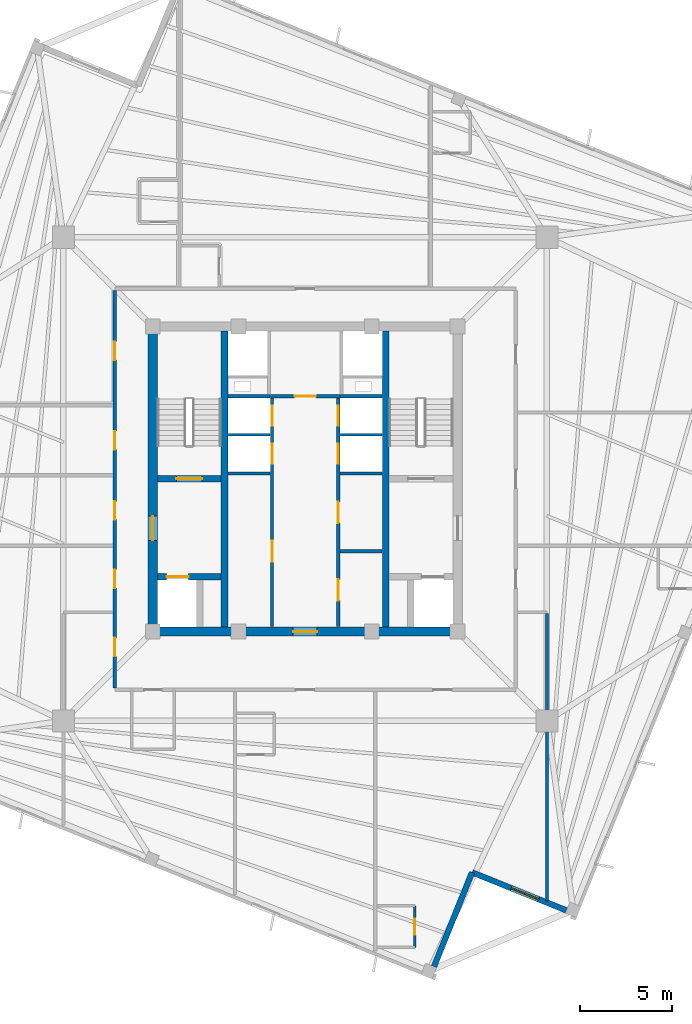
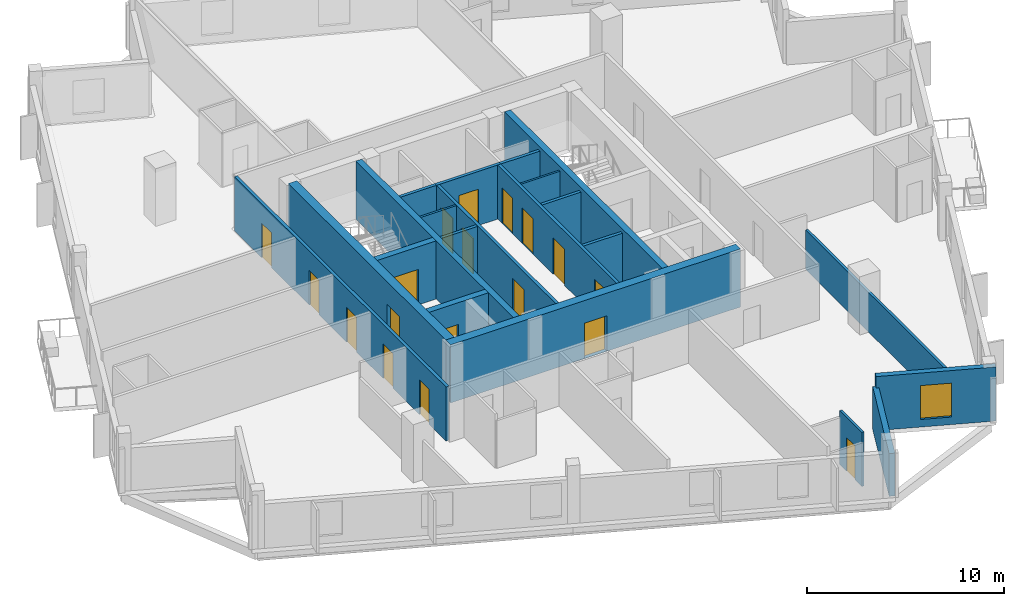
# One storey, part 3 of 8: 21 walls, 18 doors, 1 window, 19 openings.
"""IFC4 building model written with IfcOpenShell, lengths in metres."""

from ifc_helpers import new_model, si_unit, direction, frame, frame_2d, origin, place, context, subcontext, project, spatial, rectangle, extrude, source, transform, mapped, material, layer, layer_set, type_object, element, fill, save


model = new_model("IFC4")

# Units and contexts
model_context = context("Model", 3, precision=1e-05, world=origin(), true_north=direction((0.0, 1.0)))
body_context = subcontext(model_context, "Body", "Model", "MODEL_VIEW")
ifc_project = project(units=[si_unit("LENGTHUNIT", "METRE"), si_unit("AREAUNIT", "SQUARE_METRE"), si_unit("VOLUMEUNIT", "CUBIC_METRE"), si_unit("PLANEANGLEUNIT", "RADIAN"), si_unit("MASSUNIT", "GRAM", prefix="KILO"), si_unit("THERMODYNAMICTEMPERATUREUNIT", "KELVIN")], contexts=[model_context])

# Site, building, storey
site_placement = place(None, origin())
site = spatial("IfcSite", under=ifc_project, at=site_placement, CompositionType="ELEMENT")
building_placement = place(site_placement, origin())
building = spatial("IfcBuilding", under=site, at=building_placement, Name="Kosmvard Interchange Tower", CompositionType="ELEMENT")
storey_placement = place(building_placement, frame((0.0, 0.0, 268.800048828125)))
storey = spatial("IfcBuildingStorey", under=building, at=storey_placement, Name="L65", CompositionType="ELEMENT", Elevation=268.800048828125)

# Wall
ifc_material_1 = material(Name="Acoustic gypsum partition system")
ifc_layer_1 = layer(ifc_material_1, 0.14990234375, Name="Acoustic gypsum partition system")
ifc_layer_set_1 = layer_set([ifc_layer_1], Name="Acoustic gypsum partition system")
wall_type_1 = type_object("IfcWallType", Name="Acoustic Suite & Meeting Partition 150", PredefinedType="PARTITIONING", material=ifc_layer_set_1)
wall_1_placement = place(storey_placement, frame((13.0810546875, -7.27490234375, 0.0), z_axis=(0.0, 0.0, 1.0), x_axis=(0.0, -1.0, 0.0)))
element("IfcWall", 1, at=wall_1_placement, inside=storey, type_object=wall_type_1, Name="L65 Room Partition 11.1", PredefinedType="PARTITIONING", context=body_context, shape_type="SweptSolid", body=[
    extrude(rectangle(XDim=15.541748046875, YDim=0.14990234375, at=frame_2d((7.77099609375, 0.0))), origin(), (0.0, 0.0, 1.0), 2.449951171875),
])

# Wall, openings, doors
ifc_material_2 = material(Name="Fire-rated gypsum partition system")
ifc_layer_2 = layer(ifc_material_2, 0.179931640625, Name="Fire-rated gypsum partition system")
ifc_layer_set_2 = layer_set([ifc_layer_2], Name="Fire-rated gypsum partition system")
wall_type_2 = type_object("IfcWallType", Name="Corridor & Hotel Compartment Partition 180", PredefinedType="PARTITIONING", material=ifc_layer_set_2)
wall_2_placement = place(storey_placement, frame((-1.7900390625, -7.97998046875, 0.0), z_axis=(0.0, 0.0, 1.0), x_axis=(0.0, 1.0, 0.0)))
wall_2 = element("IfcWall", 2, at=wall_2_placement, inside=storey, type_object=wall_type_2, Name="L65 West Lift Bank Front Wall", PredefinedType="PARTITIONING", context=body_context, shape_type="SweptSolid", body=[
    extrude(rectangle(XDim=12.3798828125, YDim=0.179931640625, at=frame_2d((6.18994140625, 0.0))), origin(), (0.0, 0.0, 1.0), 3.349853515625),
])
opening_1_placement = place(wall_2_placement, frame((8.800048828125, 0.0, 0.0)))
opening_1 = element("IfcOpeningElement", 3, at=opening_1_placement, cuts=wall_2, Name="Opening LD-PL-H1-L65", PredefinedType="OPENING", context=body_context, shape_type="SweptSolid", body=[
    extrude(rectangle(XDim=1.10009765625, YDim=2.199951171875, at=frame_2d((0.550048828125, 1.10009765625))), frame((0.0, 0.10009765625, 0.0), z_axis=(0.0, -1.0, 0.0), x_axis=(1.0, 0.0, 0.0)), (0.0, 0.0, 1.0), 0.199951171875),
])
opening_2_placement = place(wall_2_placement, frame((10.860107421875, 0.0, 0.0)))
opening_2 = element("IfcOpeningElement", 4, at=opening_2_placement, cuts=wall_2, Name="Opening LD-PL-H2-L65", PredefinedType="OPENING", context=body_context, shape_type="SweptSolid", body=[
    extrude(rectangle(XDim=1.10009765625, YDim=2.199951171875, at=frame_2d((0.550048828125, 1.10009765625))), frame((0.0, 0.10009765625, 0.0), z_axis=(0.0, -1.0, 0.0), x_axis=(1.0, 0.0, 0.0)), (0.0, 0.0, 1.0), 0.199951171875),
])
opening_3_placement = place(wall_2_placement, frame((3.5, 0.0, 0.0)))
opening_3 = element("IfcOpeningElement", 5, at=opening_3_placement, cuts=wall_2, Name="Opening L65-CD1", PredefinedType="OPENING", context=body_context, shape_type="SweptSolid", body=[
    extrude(rectangle(XDim=1.14990234375, YDim=2.25, at=frame_2d((0.574951171875, 1.125))), frame((0.0, 0.10009765625, 0.0), z_axis=(0.0, -1.0, 0.0), x_axis=(1.0, 0.0, 0.0)), (0.0, 0.0, 1.0), 0.199951171875),
])
ifc_material_3 = material(Name="Painted fire-rated steel leaf", Category="steel")
door_type_1 = type_object("IfcDoorType", Name="Plant & Riser Fire Door 1150x2250 EI60", OperationType="NOTDEFINED", PredefinedType="DOOR", material=ifc_material_3)
shared_shape_1 = source(origin(), body_context, "Body", "SweptSolid", [
    extrude(rectangle(XDim=1.14990234375, YDim=2.25, at=frame_2d((0.574951171875, 1.125))), frame((0.0, 0.02490234375, 0.0), z_axis=(0.0, -1.0, 0.0), x_axis=(1.0, 0.0, 0.0)), (0.0, 0.0, 1.0), 0.050048828125),
])
door_1_placement = place(opening_3_placement, origin())
door_1 = element("IfcDoor", 6, at=door_1_placement, inside=storey, type_object=door_type_1, Name="L65 Core West Store Door", OperationType="SINGLE_SWING_LEFT", OverallHeight=2.25, OverallWidth=1.14990234375, PredefinedType="DOOR", context=body_context, shape_type="MappedRepresentation", body=[
    mapped(shared_shape_1, transform((0.0, 0.0, 0.0), scale=1.0)),
])
fill(opening_3, door_1)
ifc_material_4 = material(Name="Brushed stainless steel sliding leaf", Category="steel")
door_type_2 = type_object("IfcDoorType", Name="Passenger Lift Sliding Landing Door 1100x2200 EI60", OperationType="DOUBLE_DOOR_SLIDING", PredefinedType="DOOR", material=ifc_material_4)
shared_shape_2 = source(origin(), body_context, "Body", "SweptSolid", [
    extrude(rectangle(XDim=1.10009765625, YDim=2.199951171875, at=frame_2d((0.550048828125, 1.10009765625))), frame((0.0, 0.02490234375, 0.0), z_axis=(0.0, -1.0, 0.0), x_axis=(1.0, 0.0, 0.0)), (0.0, 0.0, 1.0), 0.050048828125),
])
door_2_placement = place(opening_1_placement, frame((1.10009765625, 0.0, 0.0), z_axis=(0.0, 0.0, 1.0), x_axis=(-1.0, 0.0, 0.0)))
door_2 = element("IfcDoor", 7, at=door_2_placement, inside=storey, type_object=door_type_2, Name="Lift PL-H1 Landing Door L65", OperationType="DOUBLE_DOOR_SLIDING", OverallHeight=2.199951171875, OverallWidth=1.10009765625, PredefinedType="DOOR", context=body_context, shape_type="MappedRepresentation", body=[
    mapped(shared_shape_2, transform((0.0, 0.0, 0.0), scale=1.0)),
])
fill(opening_1, door_2)
door_3_placement = place(opening_2_placement, frame((1.10009765625, 0.0, 0.0), z_axis=(0.0, 0.0, 1.0), x_axis=(-1.0, 0.0, 0.0)))
door_3 = element("IfcDoor", 8, at=door_3_placement, inside=storey, type_object=door_type_2, Name="Lift PL-H2 Landing Door L65", OperationType="DOUBLE_DOOR_SLIDING", OverallHeight=2.199951171875, OverallWidth=1.10009765625, PredefinedType="DOOR", context=body_context, shape_type="MappedRepresentation", body=[
    mapped(shared_shape_2, transform((0.0, 0.0, 0.0), scale=1.0)),
])
fill(opening_2, door_3)

wall_3_placement = place(storey_placement, frame((1.7900390625, -7.97998046875, 0.0), z_axis=(0.0, 0.0, 1.0), x_axis=(0.0, 1.0, 0.0)))
wall_3 = element("IfcWall", 9, at=wall_3_placement, inside=storey, type_object=wall_type_2, Name="L65 East Lift Bank Front Wall", PredefinedType="PARTITIONING", context=body_context, shape_type="SweptSolid", body=[
    extrude(rectangle(XDim=12.3798828125, YDim=0.179931640625, at=frame_2d((6.18994140625, 0.0))), origin(), (0.0, 0.0, 1.0), 3.349853515625),
])
opening_4_placement = place(wall_3_placement, frame((8.800048828125, 0.0, 0.0)))
opening_4 = element("IfcOpeningElement", 10, at=opening_4_placement, cuts=wall_3, Name="Opening LD-PL-H3-L65", PredefinedType="OPENING", context=body_context, shape_type="SweptSolid", body=[
    extrude(rectangle(XDim=1.10009765625, YDim=2.199951171875, at=frame_2d((0.550048828125, 1.10009765625))), frame((0.0, 0.10009765625, 0.0), z_axis=(0.0, -1.0, 0.0), x_axis=(1.0, 0.0, 0.0)), (0.0, 0.0, 1.0), 0.199951171875),
])
opening_5_placement = place(wall_3_placement, frame((10.860107421875, 0.0, 0.0)))
opening_5 = element("IfcOpeningElement", 11, at=opening_5_placement, cuts=wall_3, Name="Opening LD-PL-H4-L65", PredefinedType="OPENING", context=body_context, shape_type="SweptSolid", body=[
    extrude(rectangle(XDim=1.10009765625, YDim=2.199951171875, at=frame_2d((0.550048828125, 1.10009765625))), frame((0.0, 0.10009765625, 0.0), z_axis=(0.0, -1.0, 0.0), x_axis=(1.0, 0.0, 0.0)), (0.0, 0.0, 1.0), 0.199951171875),
])
opening_6_placement = place(wall_3_placement, frame((1.39990234375, 0.0, 0.0)))
opening_6 = element("IfcOpeningElement", 12, at=opening_6_placement, cuts=wall_3, Name="Opening L65-CD2", PredefinedType="OPENING", context=body_context, shape_type="SweptSolid", body=[
    extrude(rectangle(XDim=1.14990234375, YDim=2.25, at=frame_2d((0.574951171875, 1.125))), frame((0.0, 0.10009765625, 0.0), z_axis=(0.0, -1.0, 0.0), x_axis=(1.0, 0.0, 0.0)), (0.0, 0.0, 1.0), 0.199951171875),
])
opening_7_placement = place(wall_3_placement, frame((5.60009765625, 0.0, 0.0)))
opening_7 = element("IfcOpeningElement", 13, at=opening_7_placement, cuts=wall_3, Name="Opening L65-CD3", PredefinedType="OPENING", context=body_context, shape_type="SweptSolid", body=[
    extrude(rectangle(XDim=1.14990234375, YDim=2.25, at=frame_2d((0.574951171875, 1.125))), frame((0.0, 0.10009765625, 0.0), z_axis=(0.0, -1.0, 0.0), x_axis=(1.0, 0.0, 0.0)), (0.0, 0.0, 1.0), 0.199951171875),
])
door_4_placement = place(opening_6_placement, frame((1.14990234375, 0.0, 0.0), z_axis=(0.0, 0.0, 1.0), x_axis=(-1.0, 0.0, 0.0)))
door_4 = element("IfcDoor", 14, at=door_4_placement, inside=storey, type_object=door_type_1, Name="L65 Core Tea Pantry Door", OperationType="SINGLE_SWING_LEFT", OverallHeight=2.25, OverallWidth=1.14990234375, PredefinedType="DOOR", context=body_context, shape_type="MappedRepresentation", body=[
    mapped(shared_shape_1, transform((0.0, 0.0, 0.0), scale=1.0)),
])
fill(opening_6, door_4)
door_5_placement = place(opening_7_placement, frame((1.14990234375, 0.0, 0.0), z_axis=(0.0, 0.0, 1.0), x_axis=(-1.0, 0.0, 0.0)))
door_5 = element("IfcDoor", 15, at=door_5_placement, inside=storey, type_object=door_type_1, Name="L65 Mid Core Pantry Door", OperationType="SINGLE_SWING_RIGHT", OverallHeight=2.25, OverallWidth=1.14990234375, PredefinedType="DOOR", context=body_context, shape_type="MappedRepresentation", body=[
    mapped(shared_shape_1, transform((0.0, 0.0, 0.0), scale=1.0)),
])
fill(opening_7, door_5)
door_6_placement = place(opening_4_placement, origin())
door_6 = element("IfcDoor", 16, at=door_6_placement, inside=storey, type_object=door_type_2, Name="Lift PL-H3 Landing Door L65", OperationType="DOUBLE_DOOR_SLIDING", OverallHeight=2.199951171875, OverallWidth=1.10009765625, PredefinedType="DOOR", context=body_context, shape_type="MappedRepresentation", body=[
    mapped(shared_shape_2, transform((0.0, 0.0, 0.0), scale=1.0)),
])
fill(opening_4, door_6)
door_7_placement = place(opening_5_placement, origin())
door_7 = element("IfcDoor", 17, at=door_7_placement, inside=storey, type_object=door_type_2, Name="Lift PL-H4 Landing Door L65", OperationType="DOUBLE_DOOR_SLIDING", OverallHeight=2.199951171875, OverallWidth=1.10009765625, PredefinedType="DOOR", context=body_context, shape_type="MappedRepresentation", body=[
    mapped(shared_shape_2, transform((0.0, 0.0, 0.0), scale=1.0)),
])
fill(opening_5, door_7)

# Wall, opening, door
wall_4_placement = place(storey_placement, frame((-1.8798828125, 4.489990234375, 0.0), z_axis=(0.0, 0.0, 1.0), x_axis=(1.0, 0.0, 0.0)))
wall_4 = element("IfcWall", 18, at=wall_4_placement, inside=storey, type_object=wall_type_2, Name="L65 Lift Lobby North Partition", PredefinedType="PARTITIONING", context=body_context, shape_type="SweptSolid", body=[
    extrude(rectangle(XDim=3.759765625, YDim=0.179931640625, at=frame_2d((1.8798828125, 0.0))), origin(), (0.0, 0.0, 1.0), 3.349853515625),
])
opening_8_placement = place(wall_4_placement, frame((1.304931640625, 0.0, 0.0)))
opening_8 = element("IfcOpeningElement", 19, at=opening_8_placement, cuts=wall_4, Name="Opening L65-KD1", PredefinedType="OPENING", context=body_context, shape_type="SweptSolid", body=[
    extrude(rectangle(XDim=1.14990234375, YDim=2.25, at=frame_2d((0.574951171875, 1.125))), frame((0.0, 0.10009765625, 0.0), z_axis=(0.0, -1.0, 0.0), x_axis=(1.0, 0.0, 0.0)), (0.0, 0.0, 1.0), 0.199951171875),
])
door_8_placement = place(opening_8_placement, origin())
door_8 = element("IfcDoor", 20, at=door_8_placement, inside=storey, type_object=door_type_1, Name="L65 Core IT Room Door", OperationType="SINGLE_SWING_LEFT", OverallHeight=2.25, OverallWidth=1.14990234375, PredefinedType="DOOR", context=body_context, shape_type="MappedRepresentation", body=[
    mapped(shared_shape_1, transform((0.0, 0.0, 0.0), scale=1.0)),
])
fill(opening_8, door_8)

# Wall, openings, doors
wall_5_placement = place(storey_placement, frame((-10.300048828125, -11.300048828125, 0.0), z_axis=(0.0, 0.0, 1.0), x_axis=(0.0, 1.0, 0.0)))
wall_5 = element("IfcWall", 21, at=wall_5_placement, inside=storey, type_object=wall_type_2, Name="L65 Corridor Wall CW", PredefinedType="PARTITIONING", context=body_context, shape_type="SweptSolid", body=[
    extrude(rectangle(XDim=21.5, YDim=0.179931640625, at=frame_2d((10.75, 0.0))), origin(), (0.0, 0.0, 1.0), 3.349853515625),
])
opening_9_placement = place(wall_5_placement, frame((12.89990234375, 0.0, 0.0)))
opening_9 = element("IfcOpeningElement", 22, at=opening_9_placement, cuts=wall_5, Name="Opening L65-D02", PredefinedType="OPENING", context=body_context, shape_type="SweptSolid", body=[
    extrude(rectangle(XDim=1.0, YDim=2.14990234375, at=frame_2d((0.5, 1.074951171875))), frame((0.0, 0.10009765625, 0.0), z_axis=(0.0, -1.0, 0.0), x_axis=(1.0, 0.0, 0.0)), (0.0, 0.0, 1.0), 0.199951171875),
])
opening_10_placement = place(wall_5_placement, frame((17.735595703125, 0.0, 0.0)))
opening_10 = element("IfcOpeningElement", 23, at=opening_10_placement, cuts=wall_5, Name="Opening L65-D03", PredefinedType="OPENING", context=body_context, shape_type="SweptSolid", body=[
    extrude(rectangle(XDim=1.0, YDim=2.14990234375, at=frame_2d((0.5, 1.074951171875))), frame((0.0, 0.10009765625, 0.0), z_axis=(0.0, -1.0, 0.0), x_axis=(1.0, 0.0, 0.0)), (0.0, 0.0, 1.0), 0.199951171875),
])
opening_11_placement = place(wall_5_placement, frame((1.71435546875, 0.0, 0.0)))
opening_11 = element("IfcOpeningElement", 24, at=opening_11_placement, cuts=wall_5, Name="Opening L65-D17", PredefinedType="OPENING", context=body_context, shape_type="SweptSolid", body=[
    extrude(rectangle(XDim=1.0, YDim=2.14990234375, at=frame_2d((0.5, 1.074951171875))), frame((0.0, 0.10009765625, 0.0), z_axis=(0.0, -1.0, 0.0), x_axis=(1.0, 0.0, 0.0)), (0.0, 0.0, 1.0), 0.199951171875),
])
opening_12_placement = place(wall_5_placement, frame((5.39990234375, 0.0, 0.0)))
opening_12 = element("IfcOpeningElement", 25, at=opening_12_placement, cuts=wall_5, Name="Opening L65-D18", PredefinedType="OPENING", context=body_context, shape_type="SweptSolid", body=[
    extrude(rectangle(XDim=1.0, YDim=2.14990234375, at=frame_2d((0.5, 1.074951171875))), frame((0.0, 0.10009765625, 0.0), z_axis=(0.0, -1.0, 0.0), x_axis=(1.0, 0.0, 0.0)), (0.0, 0.0, 1.0), 0.199951171875),
])
opening_13_placement = place(wall_5_placement, frame((9.10009765625, 0.0, 0.0)))
opening_13 = element("IfcOpeningElement", 26, at=opening_13_placement, cuts=wall_5, Name="Opening L65-D19", PredefinedType="OPENING", context=body_context, shape_type="SweptSolid", body=[
    extrude(rectangle(XDim=1.0, YDim=2.14990234375, at=frame_2d((0.5, 1.074951171875))), frame((0.0, 0.10009765625, 0.0), z_axis=(0.0, -1.0, 0.0), x_axis=(1.0, 0.0, 0.0)), (0.0, 0.0, 1.0), 0.199951171875),
])
ifc_material_5 = material(Name="Engineered oak fire-rated timber", Category="wood")
door_type_3 = type_object("IfcDoorType", Name="Hotel Guestroom Entrance Door 1000x2150 EI60", OperationType="NOTDEFINED", PredefinedType="DOOR", material=ifc_material_5)
shared_shape_3 = source(origin(), body_context, "Body", "SweptSolid", [
    extrude(rectangle(XDim=1.0, YDim=2.14990234375, at=frame_2d((0.5, 1.074951171875))), frame((0.0, 0.02490234375, 0.0), z_axis=(0.0, -1.0, 0.0), x_axis=(1.0, 0.0, 0.0)), (0.0, 0.0, 1.0), 0.050048828125),
])
door_9_placement = place(opening_9_placement, origin())
door_9 = element("IfcDoor", 27, at=door_9_placement, inside=storey, type_object=door_type_3, Name="L65 Hotel Sky Panorama Lounge Door", OperationType="SINGLE_SWING_RIGHT", OverallHeight=2.14990234375, OverallWidth=1.0, PredefinedType="DOOR", context=body_context, shape_type="MappedRepresentation", body=[
    mapped(shared_shape_3, transform((0.0, 0.0, 0.0), scale=1.0)),
])
fill(opening_9, door_9)
door_10_placement = place(opening_10_placement, origin())
door_10 = element("IfcDoor", 28, at=door_10_placement, inside=storey, type_object=door_type_3, Name="L65 Hotel North-East Junior Suite 1 Door", OperationType="SINGLE_SWING_LEFT", OverallHeight=2.14990234375, OverallWidth=1.0, PredefinedType="DOOR", context=body_context, shape_type="MappedRepresentation", body=[
    mapped(shared_shape_3, transform((0.0, 0.0, 0.0), scale=1.0)),
])
fill(opening_10, door_10)
door_11_placement = place(opening_11_placement, origin())
door_11 = element("IfcDoor", 29, at=door_11_placement, inside=storey, type_object=door_type_3, Name="L65 Housekeeping and Linen Room Door", OperationType="SINGLE_SWING_LEFT", OverallHeight=2.14990234375, OverallWidth=1.0, PredefinedType="DOOR", context=body_context, shape_type="MappedRepresentation", body=[
    mapped(shared_shape_3, transform((0.0, 0.0, 0.0), scale=1.0)),
])
fill(opening_11, door_11)
door_12_placement = place(opening_12_placement, origin())
door_12 = element("IfcDoor", 30, at=door_12_placement, inside=storey, type_object=door_type_3, Name="L65 Hotel Room Service Pantry Door", OperationType="SINGLE_SWING_RIGHT", OverallHeight=2.14990234375, OverallWidth=1.0, PredefinedType="DOOR", context=body_context, shape_type="MappedRepresentation", body=[
    mapped(shared_shape_3, transform((0.0, 0.0, 0.0), scale=1.0)),
])
fill(opening_12, door_12)
door_13_placement = place(opening_13_placement, origin())
door_13 = element("IfcDoor", 31, at=door_13_placement, inside=storey, type_object=door_type_3, Name="L65 Hotel King Guest Room 5 Door", OperationType="SINGLE_SWING_LEFT", OverallHeight=2.14990234375, OverallWidth=1.0, PredefinedType="DOOR", context=body_context, shape_type="MappedRepresentation", body=[
    mapped(shared_shape_3, transform((0.0, 0.0, 0.0), scale=1.0)),
])
fill(opening_13, door_13)

# Walls
ifc_material_6 = material(Name="Concrete blockwork masonry", Category="masonry")
ifc_layer_3 = layer(ifc_material_6, 0.179931640625, Name="Concrete blockwork masonry")
ifc_layer_set_3 = layer_set([ifc_layer_3], Name="Concrete blockwork masonry")
wall_type_3 = type_object("IfcWallType", Name="Riser & Lift Bank Divider Wall 180", PredefinedType="PARTITIONING", material=ifc_layer_set_3)
for number, where, z_axis, x_axis, name in (
    (32, (1.889892578125, -3.89990234375, 0.0), (0.0, 0.0, 1.0), (1.0, 0.0, 0.0), "L65 East Bank Divider BD1"),
    (33, (-4.169921875, 0.300048828125, 0.0), (0.0, 0.0, 1.0), (1.0, 0.0, 0.0), "L65 West Bank Divider BD2"),
    (34, (1.889892578125, 0.300048828125, 0.0), (0.0, 0.0, 1.0), (1.0, 0.0, 0.0), "L65 East Bank Divider BD2"),
    (35, (-4.169921875, 4.489990234375, 0.0), (0.0, 0.0, 1.0), (1.0, 0.0, 0.0), "L65 West Bank Divider BD3"),
    (36, (1.889892578125, 4.489990234375, 0.0), (0.0, 0.0, 1.0), (1.0, 0.0, 0.0), "L65 East Bank Divider BD3"),
):
    element("IfcWall", number, at=place(storey_placement, frame(where, z_axis=z_axis, x_axis=x_axis)), inside=storey, type_object=wall_type_3, Name=name, PredefinedType="PARTITIONING", context=body_context, shape_type="SweptSolid", body=[
        extrude(rectangle(XDim=2.280029296875, YDim=0.179931640625, at=frame_2d((1.14013671875, 0.0))), origin(), (0.0, 0.0, 1.0), 3.349853515625),
    ])
ifc_material_7 = material(Name="Fire-rated gypsum shaftwall system")
ifc_layer_4 = layer(ifc_material_7, 0.1201171875, Name="Fire-rated gypsum shaftwall system")
ifc_layer_set_4 = layer_set([ifc_layer_4], Name="Fire-rated gypsum shaftwall system")
wall_type_4 = type_object("IfcWallType", Name="Shaft & Riser Fire Partition 120 EI60", PredefinedType="PARTITIONING", material=ifc_layer_set_4)
for number, where, z_axis, x_axis, name in (
    (37, (-4.159912109375, 2.39990234375, 0.0), (0.0, 0.0, 1.0), (1.0, 0.0, 0.0), "L65 Shaft Divider PL-H1"),
    (38, (1.89990234375, 2.39990234375, 0.0), (0.0, 0.0, 1.0), (1.0, 0.0, 0.0), "L65 Shaft Divider PL-H3"),
):
    element("IfcWall", number, at=place(storey_placement, frame(where, z_axis=z_axis, x_axis=x_axis)), inside=storey, type_object=wall_type_4, Name=name, PredefinedType="PARTITIONING", context=body_context, shape_type="SweptSolid", body=[
        extrude(rectangle(XDim=2.260009765625, YDim=0.1201171875, at=frame_2d((1.1298828125, 0.0))), origin(), (0.0, 0.0, 1.0), 3.349853515625),
    ])
ifc_material_8 = material(Name="Concrete C60/75", Category="concrete")
ifc_layer_5 = layer(ifc_material_8, 0.360107421875, Name="Concrete C60/75")
ifc_layer_set_5 = layer_set([ifc_layer_5], Name="Concrete C60/75")
wall_type_5 = type_object("IfcWallType", Name="Stair & Lift Shaft Shear Wall 360 C60/75", PredefinedType="SHEAR", material=ifc_layer_set_5)
for number, where, z_axis, x_axis, name in (
    (39, (-4.360107421875, -8.0, 0.0), (0.0, 0.0, 1.0), (0.0, 1.0, 0.0), "L65 Shaft Shear Wall SW-W"),
    (40, (4.360107421875, -8.0, 0.0), (0.0, 0.0, 1.0), (0.0, 1.0, 0.0), "L65 Shaft Shear Wall SW-E"),
):
    element("IfcWall", number, at=place(storey_placement, frame(where, z_axis=z_axis, x_axis=x_axis)), inside=storey, type_object=wall_type_5, Name=name, PredefinedType="SHEAR", context=body_context, shape_type="SweptSolid", body=[
        extrude(rectangle(XDim=16.0, YDim=0.360107421875, at=frame_2d((8.0, 0.0))), origin(), (0.0, 0.0, 1.0), 3.599853515625),
    ])

# Wall, opening, door
wall_6_placement = place(storey_placement, frame((-8.0, 0.02001953125, 0.0), z_axis=(0.0, 0.0, 1.0), x_axis=(1.0, 0.0, 0.0)))
wall_6 = element("IfcWall", 41, at=wall_6_placement, inside=storey, type_object=wall_type_5, Name="L65 Shaft Shear Wall SW-ST1", PredefinedType="SHEAR", context=body_context, shape_type="SweptSolid", body=[
    extrude(rectangle(XDim=3.4599609375, YDim=0.360107421875, at=frame_2d((1.72998046875, 0.0))), origin(), (0.0, 0.0, 1.0), 3.599853515625),
])
opening_14_placement = place(wall_6_placement, frame((1.030029296875, 0.0, 0.0)))
opening_14 = element("IfcOpeningElement", 42, at=opening_14_placement, cuts=wall_6, Name="Opening L65-SD1", PredefinedType="OPENING", context=body_context, shape_type="SweptSolid", body=[
    extrude(rectangle(XDim=1.39990234375, YDim=2.199951171875, at=frame_2d((0.699951171875, 1.10009765625))), frame((0.0, 0.18994140625, 0.0), z_axis=(0.0, -1.0, 0.0), x_axis=(1.0, 0.0, 0.0)), (0.0, 0.0, 1.0), 0.380126953125),
])
door_type_4 = type_object("IfcDoorType", Name="Protected Stair Door 1400x2200 FD60S", OperationType="NOTDEFINED", PredefinedType="DOOR", material=ifc_material_3)
shared_shape_4 = source(origin(), body_context, "Body", "SweptSolid", [
    extrude(rectangle(XDim=1.39990234375, YDim=2.199951171875, at=frame_2d((0.699951171875, 1.10009765625))), frame((0.0, 0.02490234375, 0.0), z_axis=(0.0, -1.0, 0.0), x_axis=(1.0, 0.0, 0.0)), (0.0, 0.0, 1.0), 0.050048828125),
])
door_14_placement = place(opening_14_placement, origin())
door_14 = element("IfcDoor", 43, at=door_14_placement, inside=storey, type_object=door_type_4, Name="L65 Stair ST-1 Enclosure Door", OperationType="SINGLE_SWING_LEFT", OverallHeight=2.199951171875, OverallWidth=1.39990234375, PredefinedType="DOOR", context=body_context, shape_type="MappedRepresentation", body=[
    mapped(shared_shape_4, transform((0.0, 0.0, 0.0), scale=1.0)),
])
fill(opening_14, door_14)

wall_7_placement = place(storey_placement, frame((-8.0, -5.280029296875, 0.0), z_axis=(0.0, 0.0, 1.0), x_axis=(1.0, 0.0, 0.0)))
wall_7 = element("IfcWall", 44, at=wall_7_placement, inside=storey, type_object=wall_type_5, Name="L65 Shaft Shear Wall SW-FF1", PredefinedType="SHEAR", context=body_context, shape_type="SweptSolid", body=[
    extrude(rectangle(XDim=3.4599609375, YDim=0.360107421875, at=frame_2d((1.72998046875, 0.0))), origin(), (0.0, 0.0, 1.0), 3.599853515625),
])
opening_15_placement = place(wall_7_placement, frame((0.5, 0.0, 0.0)))
opening_15 = element("IfcOpeningElement", 45, at=opening_15_placement, cuts=wall_7, Name="Opening LD-FF-1-L65", PredefinedType="OPENING", context=body_context, shape_type="SweptSolid", body=[
    extrude(rectangle(XDim=1.199951171875, YDim=2.25, at=frame_2d((0.60009765625, 1.125))), frame((0.0, 0.18994140625, 0.0), z_axis=(0.0, -1.0, 0.0), x_axis=(1.0, 0.0, 0.0)), (0.0, 0.0, 1.0), 0.380126953125),
])
door_type_5 = type_object("IfcDoorType", Name="Firefighting Lift Sliding Landing Door 1200x2250 EI120", OperationType="DOUBLE_DOOR_SLIDING", PredefinedType="DOOR", material=ifc_material_4)
shared_shape_5 = source(origin(), body_context, "Body", "SweptSolid", [
    extrude(rectangle(XDim=1.199951171875, YDim=2.25, at=frame_2d((0.60009765625, 1.125))), frame((0.0, 0.02490234375, 0.0), z_axis=(0.0, -1.0, 0.0), x_axis=(1.0, 0.0, 0.0)), (0.0, 0.0, 1.0), 0.050048828125),
])
door_15_placement = place(opening_15_placement, origin())
door_15 = element("IfcDoor", 46, at=door_15_placement, inside=storey, type_object=door_type_5, Name="Lift FF-1 Landing Door L65", OperationType="DOUBLE_DOOR_SLIDING", OverallHeight=2.25, OverallWidth=1.199951171875, PredefinedType="DOOR", context=body_context, shape_type="MappedRepresentation", body=[
    mapped(shared_shape_5, transform((0.0, 0.0, 0.0), scale=1.0)),
])
fill(opening_15, door_15)

ifc_layer_6 = layer(ifc_material_8, 0.5, Name="Concrete C60/75")
ifc_layer_set_6 = layer_set([ifc_layer_6], Name="Concrete C60/75")
wall_type_6 = type_object("IfcWallType", Name="Upper Core Shear Wall 500 C60/75", PredefinedType="SHEAR", material=ifc_layer_set_6)
wall_8_placement = place(storey_placement, frame((-8.5, -8.25, 0.0), z_axis=(0.0, 0.0, 1.0), x_axis=(1.0, 0.0, 0.0)))
wall_8 = element("IfcWall", 47, at=wall_8_placement, inside=storey, type_object=wall_type_6, Name="L65 Core Shear Wall CW-S", PredefinedType="SHEAR", context=body_context, shape_type="SweptSolid", body=[
    extrude(rectangle(XDim=17.0, YDim=0.5, at=frame_2d((8.5, 0.0))), origin(), (0.0, 0.0, 1.0), 3.599853515625),
])
opening_16_placement = place(wall_8_placement, frame((7.85009765625, 0.0, 0.0)))
opening_16 = element("IfcOpeningElement", 48, at=opening_16_placement, cuts=wall_8, Name="Opening L65-LD0", PredefinedType="OPENING", context=body_context, shape_type="SweptSolid", body=[
    extrude(rectangle(XDim=1.300048828125, YDim=2.199951171875, at=frame_2d((0.64990234375, 1.10009765625))), frame((0.0, 0.260009765625, 0.0), z_axis=(0.0, -1.0, 0.0), x_axis=(1.0, 0.0, 0.0)), (0.0, 0.0, 1.0), 0.52001953125),
])
door_type_6 = type_object("IfcDoorType", Name="Firefighting Lobby Door 1300x2200 EI60", OperationType="NOTDEFINED", PredefinedType="DOOR", material=ifc_material_3)
shared_shape_6 = source(origin(), body_context, "Body", "SweptSolid", [
    extrude(rectangle(XDim=1.300048828125, YDim=2.199951171875, at=frame_2d((0.64990234375, 1.10009765625))), frame((0.0, 0.02490234375, 0.0), z_axis=(0.0, -1.0, 0.0), x_axis=(1.0, 0.0, 0.0)), (0.0, 0.0, 1.0), 0.050048828125),
])
door_16_placement = place(opening_16_placement, frame((1.300048828125, 0.0, 0.0), z_axis=(0.0, 0.0, 1.0), x_axis=(-1.0, 0.0, 0.0)))
door_16 = element("IfcDoor", 49, at=door_16_placement, inside=storey, type_object=door_type_6, Name="L65 Passenger Lift Lobby South Door", OperationType="SINGLE_SWING_RIGHT", OverallHeight=2.199951171875, OverallWidth=1.300048828125, PredefinedType="DOOR", context=body_context, shape_type="MappedRepresentation", body=[
    mapped(shared_shape_6, transform((0.0, 0.0, 0.0), scale=1.0)),
])
fill(opening_16, door_16)

wall_9_placement = place(storey_placement, frame((-8.25, -8.0, 0.0), z_axis=(0.0, 0.0, 1.0), x_axis=(0.0, 1.0, 0.0)))
wall_9 = element("IfcWall", 50, at=wall_9_placement, inside=storey, type_object=wall_type_6, Name="L65 Core Shear Wall CW-W", PredefinedType="SHEAR", context=body_context, shape_type="SweptSolid", body=[
    extrude(rectangle(XDim=16.0, YDim=0.5, at=frame_2d((8.0, 0.0))), origin(), (0.0, 0.0, 1.0), 3.599853515625),
])
opening_17_placement = place(wall_9_placement, frame((4.68994140625, 0.0, 0.0)))
opening_17 = element("IfcOpeningElement", 51, at=opening_17_placement, cuts=wall_9, Name="Opening L65-FD1", PredefinedType="OPENING", context=body_context, shape_type="SweptSolid", body=[
    extrude(rectangle(XDim=1.300048828125, YDim=2.199951171875, at=frame_2d((0.64990234375, 1.10009765625))), frame((0.0, 0.260009765625, 0.0), z_axis=(0.0, -1.0, 0.0), x_axis=(1.0, 0.0, 0.0)), (0.0, 0.0, 1.0), 0.52001953125),
])
door_17_placement = place(opening_17_placement, frame((1.300048828125, 0.0, 0.0), z_axis=(0.0, 0.0, 1.0), x_axis=(-1.0, 0.0, 0.0)))
door_17 = element("IfcDoor", 52, at=door_17_placement, inside=storey, type_object=door_type_6, Name="L65 Firefighting Lobby West Door", OperationType="SINGLE_SWING_LEFT", OverallHeight=2.199951171875, OverallWidth=1.300048828125, PredefinedType="DOOR", context=body_context, shape_type="MappedRepresentation", body=[
    mapped(shared_shape_6, transform((0.0, 0.0, 0.0), scale=1.0)),
])
fill(opening_17, door_17)

# Wall
ifc_material_9 = material(Name="Precast concrete C45/55", Category="concrete")
ifc_layer_7 = layer(ifc_material_9, 0.31005859375, Name="Precast concrete C45/55")
ifc_layer_set_7 = layer_set([ifc_layer_7], Name="Precast concrete C45/55")
wall_type_7 = type_object("IfcWallType", Name="Upper Tower Precast Pier Wall 310 C45/55", PredefinedType="STANDARD", material=ifc_layer_set_7)
wall_10_placement = place(storey_placement, frame((6.7841796875, -26.8408203125, 0.0), z_axis=(0.0, 0.0, 1.0), x_axis=(0.374636620962, 0.927171722085, 0.0)))
element("IfcWall", 53, at=wall_10_placement, inside=storey, type_object=wall_type_7, Name="L65 Precast Facade Wall N-SW1", PredefinedType="STANDARD", context=body_context, shape_type="SweptSolid", body=[
    extrude(rectangle(XDim=6.0, YDim=0.31005859375, at=frame_2d((3.0, 0.0))), origin(), (0.0, 0.0, 1.0), 2.64990234375),
])

# Wall, opening, window
wall_11_placement = place(storey_placement, frame((9.031982421875, -21.27783203125, 0.0), z_axis=(0.0, 0.0, 1.0), x_axis=(0.927185411764, -0.374602739196, 0.0)))
wall_11 = element("IfcWall", 54, at=wall_11_placement, inside=storey, type_object=wall_type_7, Name="L65 Precast Facade Wall N-SW2", PredefinedType="STANDARD", context=body_context, shape_type="SweptSolid", body=[
    extrude(rectangle(XDim=6.155029296875, YDim=0.31005859375, at=frame_2d((3.07763671875, 0.0))), origin(), (0.0, 0.0, 1.0), 3.349853515625),
])
opening_18_placement = place(wall_11_placement, frame((2.277587890625, 0.0, 0.469970703125)))
opening_18 = element("IfcOpeningElement", 55, at=opening_18_placement, cuts=wall_11, Name="Opening L65-W23", PredefinedType="OPENING", context=body_context, shape_type="SweptSolid", body=[
    extrude(rectangle(XDim=1.60009765625, YDim=2.10009765625, at=frame_2d((0.800048828125, 1.050048828125))), frame((0.0, 0.1650390625, 0.0), z_axis=(0.0, -1.0, 0.0), x_axis=(1.0, 0.0, 0.0)), (0.0, 0.0, 1.0), 0.330078125),
])
ifc_material_10 = material(Name="Low-E acoustic double glazing", Category="glass")
window_type = type_object("IfcWindowType", Name="Zone 5 Hotel Punched Window 1600x2100", PartitioningType="SINGLE_PANEL", PredefinedType="WINDOW", material=ifc_material_10)
shared_shape_7 = source(origin(), body_context, "Body", "SweptSolid", [
    extrude(rectangle(XDim=1.60009765625, YDim=2.10009765625, at=frame_2d((0.800048828125, 1.050048828125))), frame((0.0, 0.030029296875, 0.0), z_axis=(0.0, -1.0, 0.0), x_axis=(1.0, 0.0, 0.0)), (0.0, 0.0, 1.0), 0.06005859375),
])
window_placement = place(opening_18_placement, origin())
window = element("IfcWindow", 56, at=window_placement, inside=storey, type_object=window_type, Name="L65 Corner Notch Window 23", OverallHeight=2.10009765625, OverallWidth=1.60009765625, PartitioningType="SINGLE_PANEL", PredefinedType="WINDOW", context=body_context, shape_type="MappedRepresentation", body=[
    mapped(shared_shape_7, transform((0.0, 0.0, 0.0), scale=1.0)),
])
fill(opening_18, window)

# Wall, opening, door
ifc_material_11 = material(Name="Moisture-resistant gypsum partition")
ifc_layer_8 = layer(ifc_material_11, 0.135009765625, Name="Moisture-resistant gypsum partition")
ifc_layer_set_8 = layer_set([ifc_layer_8], Name="Moisture-resistant gypsum partition")
wall_type_8 = type_object("IfcWallType", Name="Wet Room Moisture-Resistant Partition 135", PredefinedType="PARTITIONING", material=ifc_layer_set_8)
wall_12_placement = place(storey_placement, frame((5.93994140625, -25.341552734375, 0.0), z_axis=(0.0, 0.0, 1.0), x_axis=(0.0, 1.0, 0.0)))
wall_12 = element("IfcWall", 57, at=wall_12_placement, inside=storey, type_object=wall_type_8, Name="L65 En-Suite Partition HGR4-E", PredefinedType="PARTITIONING", context=body_context, shape_type="SweptSolid", body=[
    extrude(rectangle(XDim=2.25, YDim=0.135009765625, at=frame_2d((1.125, 0.0))), origin(), (0.0, 0.0, 1.0), 3.349853515625),
])
opening_19_placement = place(wall_12_placement, frame((0.68505859375, 0.0, 0.0)))
opening_19 = element("IfcOpeningElement", 58, at=opening_19_placement, cuts=wall_12, Name="Opening L65-ED14", PredefinedType="OPENING", context=body_context, shape_type="SweptSolid", body=[
    extrude(rectangle(XDim=0.8798828125, YDim=2.10009765625, at=frame_2d((0.43994140625, 1.050048828125))), frame((0.0, 0.07763671875, 0.0), z_axis=(0.0, -1.0, 0.0), x_axis=(1.0, 0.0, 0.0)), (0.0, 0.0, 1.0), 0.155029296875),
])
ifc_material_12 = material(Name="Laminated moisture-resistant timber", Category="wood")
door_type_7 = type_object("IfcDoorType", Name="En-Suite & Washroom Door 880x2100", OperationType="NOTDEFINED", PredefinedType="DOOR", material=ifc_material_12)
shared_shape_8 = source(origin(), body_context, "Body", "SweptSolid", [
    extrude(rectangle(XDim=0.8798828125, YDim=2.10009765625, at=frame_2d((0.43994140625, 1.050048828125))), frame((0.0, 0.02490234375, 0.0), z_axis=(0.0, -1.0, 0.0), x_axis=(1.0, 0.0, 0.0)), (0.0, 0.0, 1.0), 0.050048828125),
])
door_18_placement = place(opening_19_placement, origin())
door_18 = element("IfcDoor", 59, at=door_18_placement, inside=storey, type_object=door_type_7, Name="L65 HGR4 En-Suite Door", OperationType="SINGLE_SWING_LEFT", OverallHeight=2.10009765625, OverallWidth=0.8798828125, PredefinedType="DOOR", context=body_context, shape_type="MappedRepresentation", body=[
    mapped(shared_shape_8, transform((0.0, 0.0, 0.0), scale=1.0)),
])
fill(opening_19, door_18)

save(model, "model.ifc")
